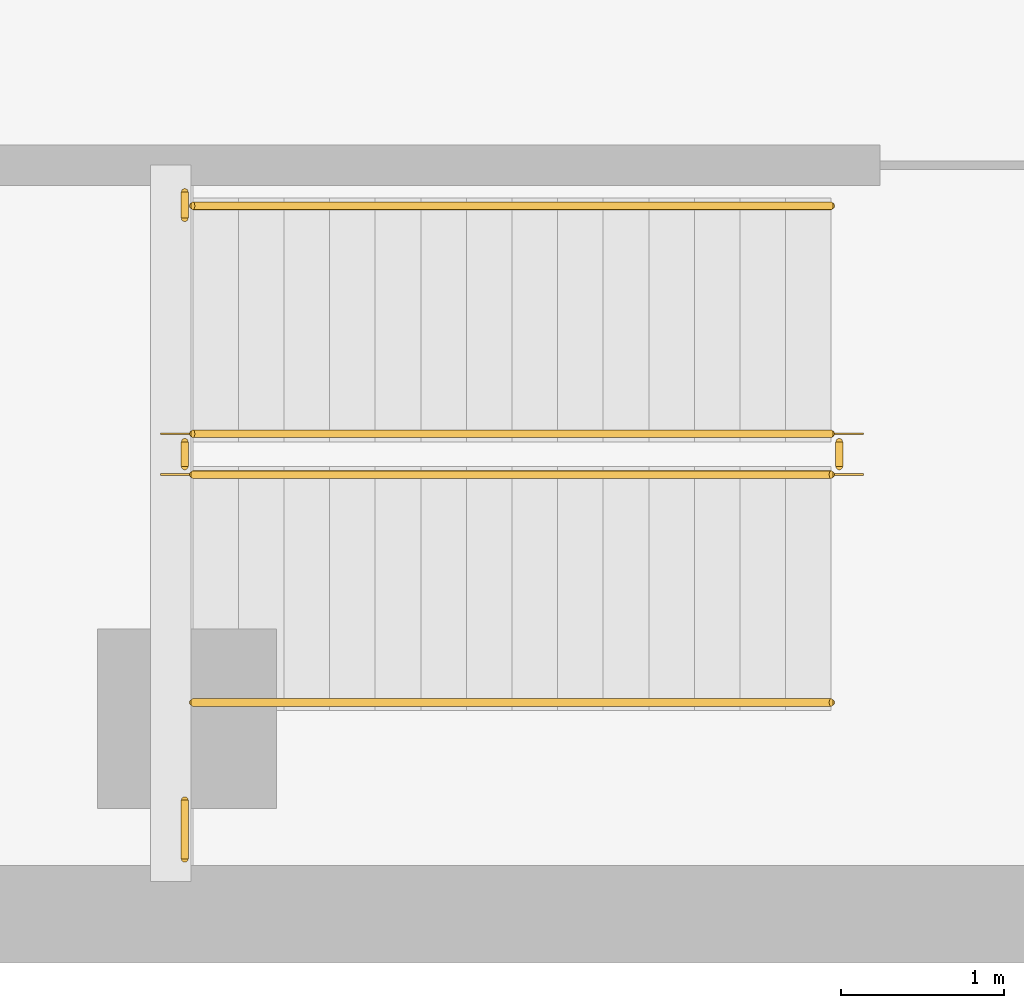
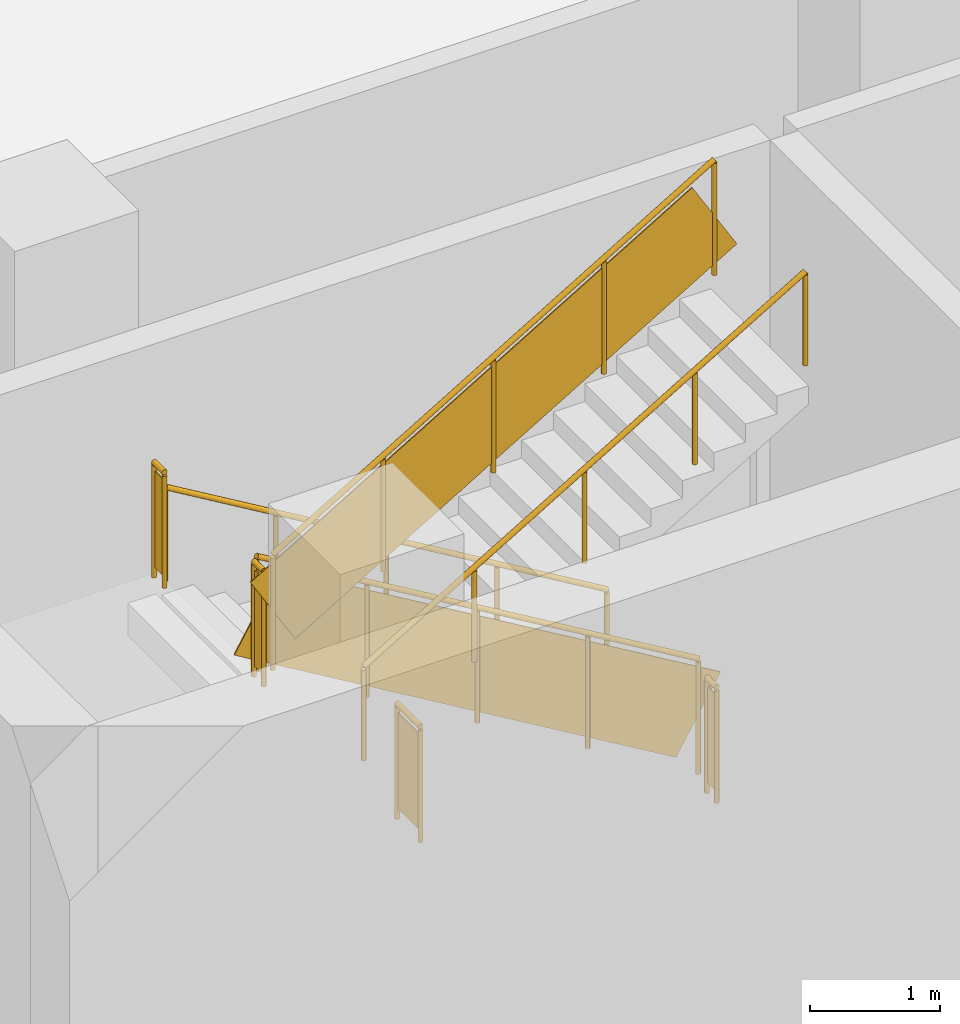
# One storey, part 11 of 14: 8 railings.
"""IFC4 building model written with IfcOpenShell, lengths in metres."""

from ifc_helpers import new_model, si_unit, direction, frame, origin, origin_2d, place, context, subcontext, project, spatial, rectangle, circle, extrude, material, type_object, element, save


model = new_model("IFC4")

# Units and contexts
model_context = context("Model", 3, precision=1e-05, world=origin(), true_north=direction((0.0, 1.0)))
body_context = subcontext(model_context, "Body", "Model", "MODEL_VIEW")
ifc_project = project(units=[si_unit("LENGTHUNIT", "METRE"), si_unit("AREAUNIT", "SQUARE_METRE"), si_unit("VOLUMEUNIT", "CUBIC_METRE"), si_unit("PLANEANGLEUNIT", "RADIAN"), si_unit("MASSUNIT", "GRAM", prefix="KILO")], contexts=[model_context])

# Site, building, storey
site_placement = place(None, origin())
site = spatial("IfcSite", under=ifc_project, at=site_placement, CompositionType="ELEMENT")
building_placement = place(site_placement, origin())
building = spatial("IfcBuilding", under=site, at=building_placement, Name="Vidyagriha Tower", CompositionType="ELEMENT")
storey_placement = place(building_placement, frame((0.0, 0.0, -10.0)))
storey = spatial("IfcBuildingStorey", under=building, at=storey_placement, Name="B2", CompositionType="ELEMENT", Elevation=-10.0)

# Railings
ifc_material_1 = material(Name="Powder coated ASTM A500 Grade C steel balustrade", Category="steel")
railing_type_1 = type_object("IfcRailingType", Name="Podium Stair Guard 1100", PredefinedType="GUARDRAIL", material=ifc_material_1)
railing_1_placement = place(storey_placement, frame((-33.544921875, -47.75, 0.166748046875)))
element("IfcRailing", 1, at=railing_1_placement, inside=storey, type_object=railing_type_1, Name="B2 PS1 stair guard 1", PredefinedType="GUARDRAIL", context=body_context, shape_type="SweptSolid", body=[
    extrude(circle(Radius=0.02392578125, at=origin_2d()), frame((0.0, 0.0, 1.076171875), z_axis=(-0.859310244771, 0.0, 0.511454693235), x_axis=(0.0, -1.0, 0.0)), (0.0, 0.0, 1.0), 4.56201171875),
    extrude(circle(Radius=0.02099609375, at=origin_2d()), origin(), (0.0, 0.0, 1.0), 1.052001953125),
    extrude(circle(Radius=0.02099609375, at=origin_2d()), frame((-0.97998046875, 0.0, 0.583251953125)), (0.0, 0.0, 1.0), 1.052001953125),
    extrude(circle(Radius=0.02099609375, at=origin_2d()), frame((-1.9599609375, 0.0, 1.16650390625)), (0.0, 0.0, 1.0), 1.052001953125),
    extrude(circle(Radius=0.02099609375, at=origin_2d()), frame((-2.940185546875, 0.0, 1.75)), (0.0, 0.0, 1.0), 1.052001953125),
    extrude(circle(Radius=0.02099609375, at=origin_2d()), frame((-3.920166015625, 0.0, 2.333251953125)), (0.0, 0.0, 1.0), 1.052001953125),
    extrude(rectangle(XDim=0.010009765625, YDim=0.775146484375, at=origin_2d()), frame((0.0, 0.0, 0.551025390625), z_axis=(-0.859310244771, 0.0, 0.511454693235), x_axis=(0.0, -1.0, 0.0)), (0.0, 0.0, 1.0), 4.56201171875),
])
railing_2_placement = place(storey_placement, frame((-37.514892578125, -47.800048828125, 2.5)))
element("IfcRailing", 2, at=railing_2_placement, inside=storey, type_object=railing_type_1, Name="B2 PS1 stair guard 2", PredefinedType="GUARDRAIL", context=body_context, shape_type="SweptSolid", body=[
    extrude(circle(Radius=0.02392578125, at=origin_2d()), frame((0.0, 0.0, 1.076171875), z_axis=(0.0, -1.0, 0.0), x_axis=(1.0, 0.0, 0.0)), (0.0, 0.0, 1.0), 0.14990234375),
    extrude(circle(Radius=0.02099609375, at=origin_2d()), origin(), (0.0, 0.0, 1.0), 1.052001953125),
    extrude(circle(Radius=0.02099609375, at=origin_2d()), frame((0.0, -0.14990234375, 0.0)), (0.0, 0.0, 1.0), 1.052001953125),
    extrude(rectangle(XDim=0.010009765625, YDim=0.902099609375, at=origin_2d()), frame((0.0, 0.0, 0.551025390625), z_axis=(0.0, -1.0, 0.0), x_axis=(1.0, 0.0, 0.0)), (0.0, 0.0, 1.0), 0.14990234375),
])
railing_3_placement = place(storey_placement, frame((-37.465087890625, -48.0, 2.666748046875)))
element("IfcRailing", 3, at=railing_3_placement, inside=storey, type_object=railing_type_1, Name="B2 PS1 stair guard 3", PredefinedType="GUARDRAIL", context=body_context, shape_type="SweptSolid", body=[
    extrude(circle(Radius=0.02392578125, at=origin_2d()), frame((0.0, 0.0, 1.076171875), z_axis=(0.859310244771, 0.0, 0.511454693235), x_axis=(0.0, 1.0, 0.0)), (0.0, 0.0, 1.0), 4.56201171875),
    extrude(circle(Radius=0.02099609375, at=origin_2d()), origin(), (0.0, 0.0, 1.0), 1.052001953125),
    extrude(circle(Radius=0.02099609375, at=origin_2d()), frame((0.97998046875, 0.0, 0.583251953125)), (0.0, 0.0, 1.0), 1.052001953125),
    extrude(circle(Radius=0.02099609375, at=origin_2d()), frame((1.9599609375, 0.0, 1.16650390625)), (0.0, 0.0, 1.0), 1.052001953125),
    extrude(circle(Radius=0.02099609375, at=origin_2d()), frame((2.940185546875, 0.0, 1.75)), (0.0, 0.0, 1.0), 1.052001953125),
    extrude(circle(Radius=0.02099609375, at=origin_2d()), frame((3.920166015625, 0.0, 2.333251953125)), (0.0, 0.0, 1.0), 1.052001953125),
    extrude(rectangle(XDim=0.010009765625, YDim=0.775146484375, at=origin_2d()), frame((0.0, 0.0, 0.551025390625), z_axis=(0.859310244771, 0.0, 0.511454693235), x_axis=(0.0, 1.0, 0.0)), (0.0, 0.0, 1.0), 4.56201171875),
])
railing_4_placement = place(storey_placement, frame((-33.4951171875, -47.800048828125, 0.0)))
element("IfcRailing", 4, at=railing_4_placement, inside=storey, type_object=railing_type_1, Name="B2 PS1 stair guard 4", PredefinedType="GUARDRAIL", context=body_context, shape_type="SweptSolid", body=[
    extrude(circle(Radius=0.02392578125, at=origin_2d()), frame((0.0, 0.0, 1.076171875), z_axis=(0.0, -1.0, 0.0), x_axis=(1.0, 0.0, 0.0)), (0.0, 0.0, 1.0), 0.14990234375),
    extrude(circle(Radius=0.02099609375, at=origin_2d()), origin(), (0.0, 0.0, 1.0), 1.052001953125),
    extrude(circle(Radius=0.02099609375, at=origin_2d()), frame((0.0, -0.14990234375, 0.0)), (0.0, 0.0, 1.0), 1.052001953125),
    extrude(rectangle(XDim=0.010009765625, YDim=0.902099609375, at=origin_2d()), frame((0.0, 0.0, 0.551025390625), z_axis=(0.0, -1.0, 0.0), x_axis=(1.0, 0.0, 0.0)), (0.0, 0.0, 1.0), 0.14990234375),
])
railing_5_placement = place(storey_placement, frame((-37.514892578125, -50.360107421875, 2.5)))
element("IfcRailing", 5, at=railing_5_placement, inside=storey, type_object=railing_type_1, Name="B2 PS1 landing edge guard 1S", PredefinedType="GUARDRAIL", context=body_context, shape_type="SweptSolid", body=[
    extrude(circle(Radius=0.02392578125, at=origin_2d()), frame((0.0, 0.0, 1.076171875), z_axis=(0.0, 1.0, 0.0), x_axis=(-1.0, 0.0, 0.0)), (0.0, 0.0, 1.0), 0.360107421875),
    extrude(circle(Radius=0.02099609375, at=origin_2d()), origin(), (0.0, 0.0, 1.0), 1.052001953125),
    extrude(circle(Radius=0.02099609375, at=origin_2d()), frame((0.0, 0.360107421875, 0.0)), (0.0, 0.0, 1.0), 1.052001953125),
    extrude(rectangle(XDim=0.010009765625, YDim=0.902099609375, at=origin_2d()), frame((0.0, 0.0, 0.551025390625), z_axis=(0.0, 1.0, 0.0), x_axis=(-1.0, 0.0, 0.0)), (0.0, 0.0, 1.0), 0.360107421875),
])
railing_6_placement = place(storey_placement, frame((-37.514892578125, -46.264892578125, 2.5)))
element("IfcRailing", 6, at=railing_6_placement, inside=storey, type_object=railing_type_1, Name="B2 PS1 landing edge guard 1N", PredefinedType="GUARDRAIL", context=body_context, shape_type="SweptSolid", body=[
    extrude(circle(Radius=0.02392578125, at=origin_2d()), frame((0.0, 0.0, 1.076171875), z_axis=(0.0, -1.0, 0.0), x_axis=(1.0, 0.0, 0.0)), (0.0, 0.0, 1.0), 0.16015625),
    extrude(circle(Radius=0.02099609375, at=origin_2d()), origin(), (0.0, 0.0, 1.0), 1.052001953125),
    extrude(circle(Radius=0.02099609375, at=origin_2d()), frame((0.0, -0.16015625, 0.0)), (0.0, 0.0, 1.0), 1.052001953125),
    extrude(rectangle(XDim=0.010009765625, YDim=0.902099609375, at=origin_2d()), frame((0.0, 0.0, 0.551025390625), z_axis=(0.0, -1.0, 0.0), x_axis=(1.0, 0.0, 0.0)), (0.0, 0.0, 1.0), 0.16015625),
])
ifc_material_2 = material(Name="Powder coated ASTM A500 Grade C steel handrail", Category="steel")
railing_type_2 = type_object("IfcRailingType", Name="Podium Stair Handrail 900", PredefinedType="HANDRAIL", material=ifc_material_2)
railing_7_placement = place(storey_placement, frame((-33.544921875, -46.35009765625, 0.166748046875)))
element("IfcRailing", 7, at=railing_7_placement, inside=storey, type_object=railing_type_2, Name="B2 PS1 stair handrail 1", PredefinedType="HANDRAIL", context=body_context, shape_type="SweptSolid", body=[
    extrude(circle(Radius=0.02392578125, at=origin_2d()), frame((0.0, 0.0, 0.8759765625), z_axis=(-0.859310244771, 0.0, 0.511454693235), x_axis=(0.0, -1.0, 0.0)), (0.0, 0.0, 1.0), 4.56201171875),
    extrude(circle(Radius=0.02099609375, at=origin_2d()), origin(), (0.0, 0.0, 1.0), 0.851806640625),
    extrude(circle(Radius=0.02099609375, at=origin_2d()), frame((-0.97998046875, 0.0, 0.583251953125)), (0.0, 0.0, 1.0), 0.851806640625),
    extrude(circle(Radius=0.02099609375, at=origin_2d()), frame((-1.9599609375, 0.0, 1.16650390625)), (0.0, 0.0, 1.0), 0.851806640625),
    extrude(circle(Radius=0.02099609375, at=origin_2d()), frame((-2.940185546875, 0.0, 1.75)), (0.0, 0.0, 1.0), 0.851806640625),
    extrude(circle(Radius=0.02099609375, at=origin_2d()), frame((-3.920166015625, 0.0, 2.333251953125)), (0.0, 0.0, 1.0), 0.851806640625),
])
railing_8_placement = place(storey_placement, frame((-37.465087890625, -49.39990234375, 2.666748046875)))
element("IfcRailing", 8, at=railing_8_placement, inside=storey, type_object=railing_type_2, Name="B2 PS1 stair handrail 2", PredefinedType="HANDRAIL", context=body_context, shape_type="SweptSolid", body=[
    extrude(circle(Radius=0.02392578125, at=origin_2d()), frame((0.0, 0.0, 0.8759765625), z_axis=(0.859310244771, 0.0, 0.511454693235), x_axis=(0.0, 1.0, 0.0)), (0.0, 0.0, 1.0), 4.56201171875),
    extrude(circle(Radius=0.02099609375, at=origin_2d()), origin(), (0.0, 0.0, 1.0), 0.851806640625),
    extrude(circle(Radius=0.02099609375, at=origin_2d()), frame((0.97998046875, 0.0, 0.583251953125)), (0.0, 0.0, 1.0), 0.851806640625),
    extrude(circle(Radius=0.02099609375, at=origin_2d()), frame((1.9599609375, 0.0, 1.16650390625)), (0.0, 0.0, 1.0), 0.851806640625),
    extrude(circle(Radius=0.02099609375, at=origin_2d()), frame((2.940185546875, 0.0, 1.75)), (0.0, 0.0, 1.0), 0.851806640625),
    extrude(circle(Radius=0.02099609375, at=origin_2d()), frame((3.920166015625, 0.0, 2.333251953125)), (0.0, 0.0, 1.0), 0.851806640625),
])

save(model, "model.ifc")
